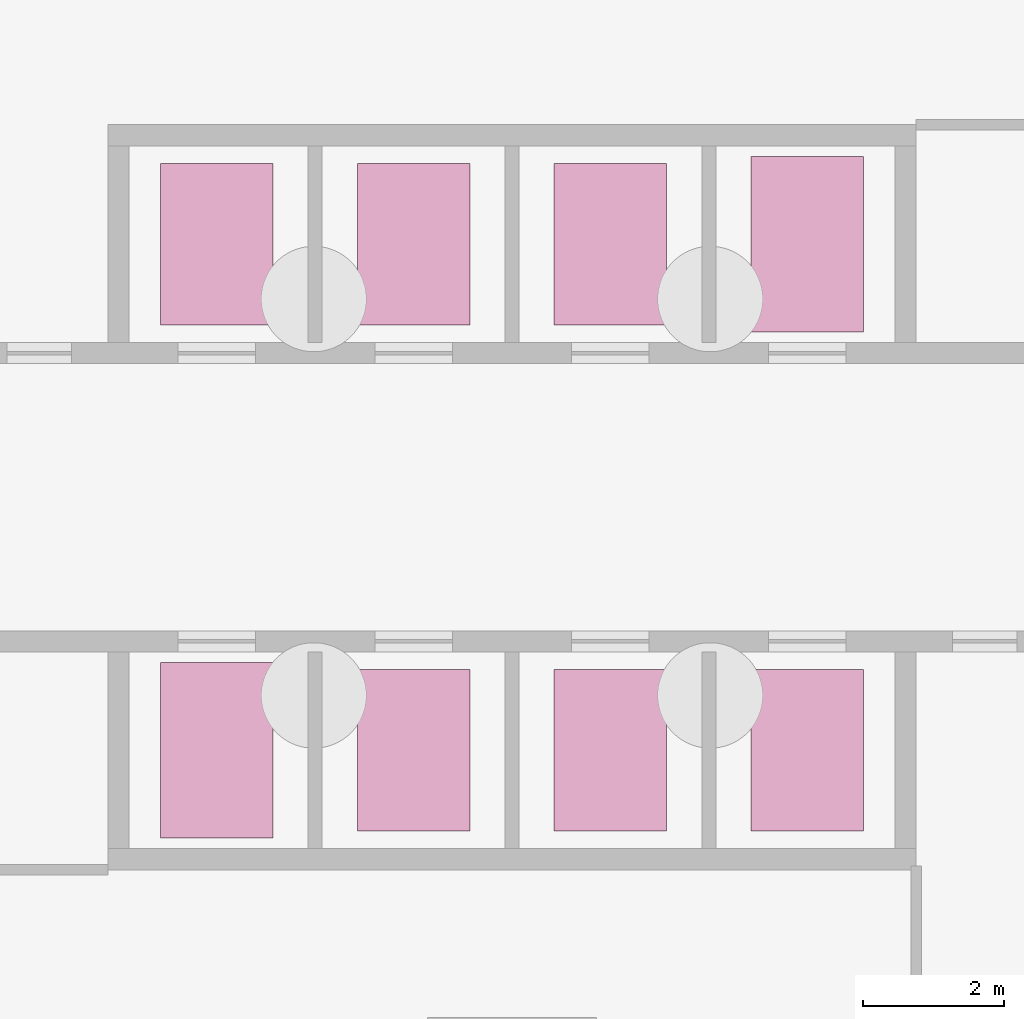
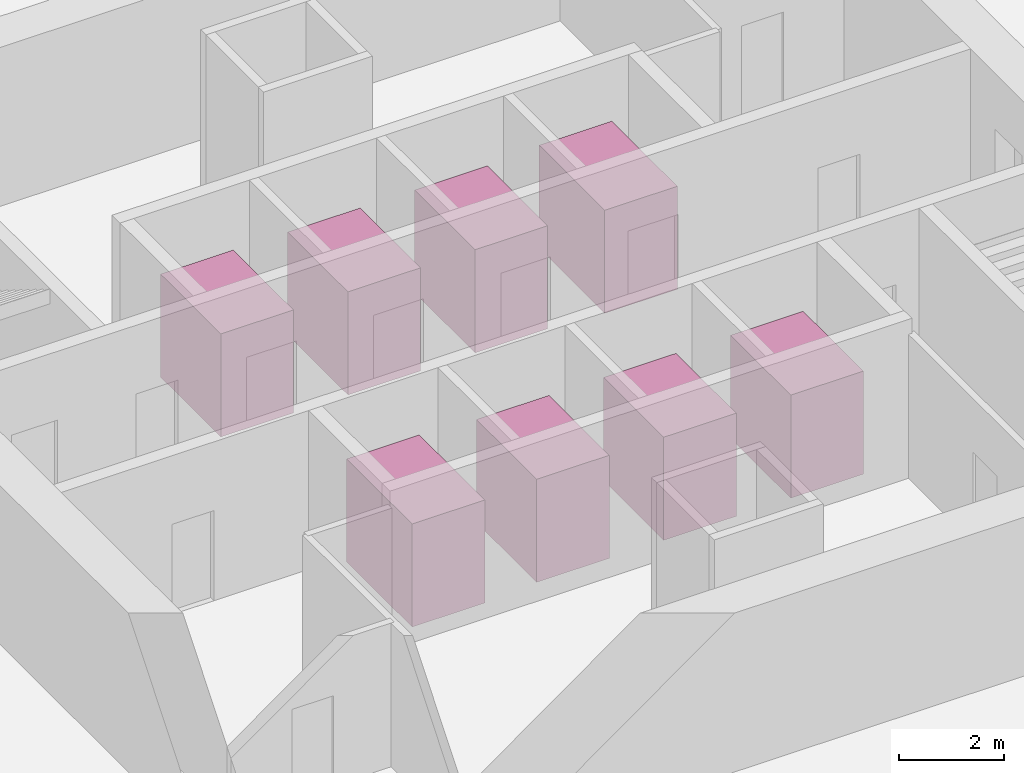
# One storey, part 11 of 11: 8 transport elements.
"""IFC4 building model written with IfcOpenShell, lengths in metres."""

from ifc_helpers import new_model, si_unit, direction, frame, origin, origin_2d, place, context, subcontext, project, spatial, rectangle, extrude, material, type_object, element, save


model = new_model("IFC4")

# Units and contexts
model_context = context("Model", 3, precision=1e-05, world=origin(), true_north=direction((0.0, 1.0)))
body_context = subcontext(model_context, "Body", "Model", "MODEL_VIEW")
ifc_project = project(units=[si_unit("LENGTHUNIT", "METRE"), si_unit("AREAUNIT", "SQUARE_METRE"), si_unit("VOLUMEUNIT", "CUBIC_METRE"), si_unit("PLANEANGLEUNIT", "RADIAN"), si_unit("MASSUNIT", "GRAM", prefix="KILO")], contexts=[model_context])

# Site, building, storey
site_placement = place(None, origin())
site = spatial("IfcSite", under=ifc_project, at=site_placement, CompositionType="ELEMENT")
building_placement = place(site_placement, origin())
building = spatial("IfcBuilding", under=site, at=building_placement, Name="Torsade Residences", CompositionType="ELEMENT")
storey_placement = place(building_placement, frame((0.0, 0.0, -7.39990234375)))
storey = spatial("IfcBuildingStorey", under=building, at=storey_placement, Name="B2", CompositionType="ELEMENT", Elevation=-7.39990234375)

# Transport elements
ifc_material_1 = material(Name="Lift car", Category="steel")
transport_element_type_1 = type_object("IfcTransportElementType", Name="FIRE-FIGHTING LIFT 1800 KG", PredefinedType="ELEVATOR", material=ifc_material_1)
for number, where, z_axis, x_axis, name in (
    (1, (44.199951171875, 33.60009765625, 0.0), (0.0, 0.0, 1.0), (1.0, 0.0, 0.0), "Firefighting lift FL1"),
    (2, (35.800048828125, 26.39990234375, 0.0), (0.0, 0.0, 1.0), (1.0, 0.0, 0.0), "Firefighting lift FL2"),
):
    element("IfcTransportElement", number, at=place(storey_placement, frame(where, z_axis=z_axis, x_axis=x_axis)), inside=storey, type_object=transport_element_type_1, Name=name, PredefinedType="ELEVATOR", context=body_context, shape_type="SweptSolid", body=[
        extrude(rectangle(XDim=1.60009765625, YDim=2.5, at=origin_2d()), origin(), (0.0, 0.0, 1.0), 2.39990234375),
    ])
ifc_material_2 = material(Name="Lift car", Category="steel")
transport_element_type_2 = type_object("IfcTransportElementType", Name="PASSENGER LIFT 1600 KG", PredefinedType="ELEVATOR", material=ifc_material_2)
for number, where, z_axis, x_axis, name in (
    (3, (35.800048828125, 33.60009765625, 0.0), (0.0, 0.0, 1.0), (1.0, 0.0, 0.0), "Passenger lift LA1"),
    (4, (44.199951171875, 26.39990234375, 0.0), (0.0, 0.0, 1.0), (1.0, 0.0, 0.0), "Passenger lift LB1"),
    (5, (38.60009765625, 33.60009765625, 0.0), (0.0, 0.0, 1.0), (1.0, 0.0, 0.0), "Passenger lift LA2"),
    (6, (41.39990234375, 26.39990234375, 0.0), (0.0, 0.0, 1.0), (1.0, 0.0, 0.0), "Passenger lift LB2"),
    (7, (41.39990234375, 33.60009765625, 0.0), (0.0, 0.0, 1.0), (1.0, 0.0, 0.0), "Passenger lift LA3"),
    (8, (38.60009765625, 26.39990234375, 0.0), (0.0, 0.0, 1.0), (1.0, 0.0, 0.0), "Passenger lift LB3"),
):
    element("IfcTransportElement", number, at=place(storey_placement, frame(where, z_axis=z_axis, x_axis=x_axis)), inside=storey, type_object=transport_element_type_2, Name=name, PredefinedType="ELEVATOR", context=body_context, shape_type="SweptSolid", body=[
        extrude(rectangle(XDim=1.60009765625, YDim=2.300048828125, at=origin_2d()), origin(), (0.0, 0.0, 1.0), 2.39990234375),
    ])

save(model, "model.ifc")
